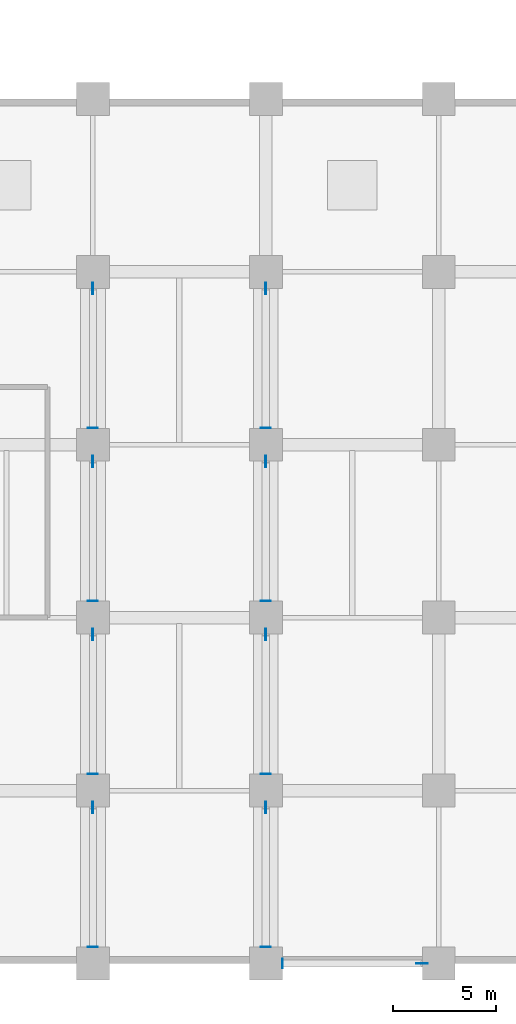
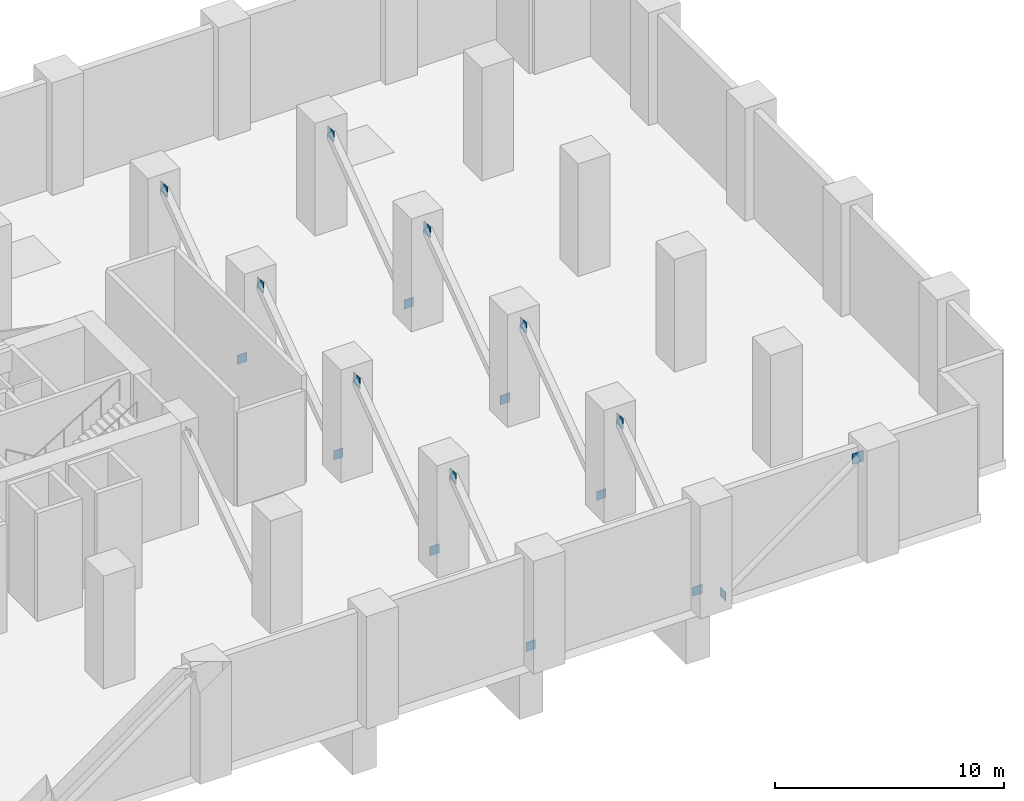
# One storey, part 10 of 20: 18 plates.
"""IFC4 building model written with IfcOpenShell, lengths in metres."""

import ifcopenshell
import ifcopenshell.guid

model = None  # the IFC model being written
_history = None  # IfcOwnerHistory: only IFC2X3 demands one
_inside = {}  # id of a spatial element -> (the spatial element, [elements in it])
_under = {}  # id of a project, library or spatial element -> (it, [spatial elements below it])
_declared = {}  # id of a project -> (the project, [libraries it declares])
_typed = {}  # id of a type object -> (the type object, [elements of that type])
_made_of = {}  # id of a material, layer set ... -> (it, [elements and type objects made of it])


def new_model(schema):
    """Start an empty IFC model of exactly this schema.

    Asked for "IFC4X3", IfcOpenShell would pick the latest addendum, in which some entities
    have other attributes; the version numbers below select the first issue.
    IFC2X3 requires an IfcOwnerHistory on every rooted entity: one is made here for all.
    """
    global model, _history
    if schema == "IFC4X3":
        model = ifcopenshell.file(schema_version=(4, 3, 0, 0))
    else:
        model = ifcopenshell.file(schema=schema)
    _inside.clear()
    _under.clear()
    _declared.clear()
    _typed.clear()
    _made_of.clear()
    _history = None
    if model.schema == "IFC2X3":
        org = make("IfcOrganization", Name="unknown")
        user = make(
            "IfcPersonAndOrganization",
            ThePerson=make("IfcPerson", FamilyName="unknown"),
            TheOrganization=org,
        )
        app = make(
            "IfcApplication",
            ApplicationDeveloper=org,
            Version="unknown",
            ApplicationFullName="unknown",
            ApplicationIdentifier="unknown",
        )
        _history = make(
            "IfcOwnerHistory",
            OwningUser=user,
            OwningApplication=app,
            ChangeAction="ADDED",
            CreationDate=0,
        )
    return model


def make(cls, **values):
    """One entity of the class cls with the attributes given. An attribute that is None is left unset."""
    return model.create_entity(
        cls, **{name: value for name, value in values.items() if value is not None}
    )


def rooted(cls, **values):
    """An entity with a GlobalId (a new one), such as an element, a storey or a relation."""
    return make(cls, GlobalId=ifcopenshell.guid.new(), OwnerHistory=_history, **values)


def si_unit(unit_type, name, prefix=None):
    """IfcSIUnit, for example si_unit("LENGTHUNIT", "METRE", prefix="MILLI")."""
    return make("IfcSIUnit", UnitType=unit_type, Prefix=prefix, Name=name)


def assignment(units):
    """IfcUnitAssignment: the units of a project."""
    return None if units is None else make("IfcUnitAssignment", Units=units)


def point(xyz):
    """IfcCartesianPoint."""
    return None if xyz is None else make("IfcCartesianPoint", Coordinates=xyz)


def direction(xyz):
    """IfcDirection."""
    return None if xyz is None else make("IfcDirection", DirectionRatios=xyz)


def frame(location, z_axis=None, x_axis=None):
    """IfcAxis2Placement3D, a coordinate frame: its origin and axes. An axis left out is left unset."""
    return make(
        "IfcAxis2Placement3D",
        Location=point(location),
        Axis=direction(z_axis),
        RefDirection=direction(x_axis),
    )


def frame_2d(location, x_axis=None):
    """IfcAxis2Placement2D, a coordinate frame in the plane: its origin and x axis."""
    return make(
        "IfcAxis2Placement2D", Location=point(location), RefDirection=direction(x_axis)
    )


def origin():
    """The frame at (0, 0, 0) with its axes left unset."""
    return frame((0.0, 0.0, 0.0))


def origin_2d():
    """The frame at (0, 0) in the plane with its x axis left unset."""
    return frame_2d((0.0, 0.0))


def place(relative_to, where):
    """IfcLocalPlacement: puts the frame where relative to a parent placement (None: the world)."""
    return make(
        "IfcLocalPlacement", PlacementRelTo=relative_to, RelativePlacement=where
    )


def context(
    kind, dimensions, precision=None, world=None, true_north=None, identifier=None
):
    """IfcGeometricRepresentationContext, for example the 3D "Model" context."""
    return make(
        "IfcGeometricRepresentationContext",
        ContextIdentifier=identifier,
        ContextType=kind,
        CoordinateSpaceDimension=dimensions,
        Precision=precision,
        WorldCoordinateSystem=world,
        TrueNorth=true_north,
    )


def subcontext(parent, identifier, kind, view, scale=None):
    """IfcGeometricRepresentationSubContext, for example "Body" below "Model"."""
    return make(
        "IfcGeometricRepresentationSubContext",
        ContextIdentifier=identifier,
        ContextType=kind,
        ParentContext=parent,
        TargetScale=scale,
        TargetView=view,
    )


def project(units=None, contexts=None):
    """IfcProject with its units and contexts."""
    return rooted(
        "IfcProject",
        Name="project",
        RepresentationContexts=contexts,
        UnitsInContext=assignment(units),
    )


def spatial(cls, under=None, at=None, **own):
    """A site, building, storey or space (cls), placed at a placement, below another one or the project."""
    s = rooted(cls, ObjectPlacement=at, **own)
    if under is not None:
        _under.setdefault(under.id(), (under, []))[1].append(s)
    return s


def profile(cls, at=None, kind="AREA", **sizes):
    """A parametric profile (cls). Its sizes go by their IFC names, for example OverallWidth=200.0."""
    return make(cls, ProfileType=kind, Position=at, **sizes)


def rectangle(**sizes):
    """IfcRectangleProfileDef."""
    return profile("IfcRectangleProfileDef", **sizes)


def extrude(swept, where, along, depth):
    """IfcExtrudedAreaSolid: the profile swept, set in the frame where, extruded along a direction by depth."""
    return make(
        "IfcExtrudedAreaSolid",
        SweptArea=swept,
        Position=where,
        ExtrudedDirection=direction(along),
        Depth=depth,
    )


def shape(context_of_items, identifier, shape_type, items):
    """IfcShapeRepresentation: the items that make up one representation, for example the "Body"."""
    return make(
        "IfcShapeRepresentation",
        ContextOfItems=context_of_items,
        RepresentationIdentifier=identifier,
        RepresentationType=shape_type,
        Items=items,
    )


def material(Name=None, Category=None):
    """IfcMaterial."""
    return make("IfcMaterial", Name=Name, Category=Category)


def layer(
    of_material, thickness, ventilated=None, Name=None, Category=None, Priority=None
):
    """IfcMaterialLayer: one layer of a wall or slab, of a material (None: an air gap)."""
    return make(
        "IfcMaterialLayer",
        Material=of_material,
        LayerThickness=thickness,
        IsVentilated=ventilated,
        Name=Name,
        Category=Category,
        Priority=Priority,
    )


def layer_set(layers, Name=None):
    """IfcMaterialLayerSet."""
    return make("IfcMaterialLayerSet", MaterialLayers=layers, LayerSetName=Name)


def made_of(thing, what):
    """Note that an element or type object is made of a material, layer set ...; save() writes the relation."""
    if what is not None:
        _made_of.setdefault(what.id(), (what, []))[1].append(thing)
    return thing


def type_object(cls, material=None, **own):
    """A type object (cls), such as IfcWallType, which elements share."""
    return made_of(rooted(cls, **own), material)


def element(
    cls,
    number,
    at=None,
    inside=None,
    cuts=None,
    type_object=None,
    material=None,
    context=None,
    identifier="Body",
    shape_type=None,
    held_by="IfcProductDefinitionShape",
    body=None,
    shapes=None,
    **own,
):
    """One element of the class cls, such as IfcWall. Its Tag is "e" and its number.

    at: its placement. inside: the storey or other place that contains it. cuts: it is an
    opening in that element (IfcRelVoidsElement). A single representation is given by context,
    identifier, shape_type and body (its items); several are given by shapes. held_by: the class
    of the entity that holds the representations. save() writes the other relations.
    """
    e = rooted(cls, Tag="e%d" % number, ObjectPlacement=at, **own)
    if body is not None:
        shapes = [shape(context, identifier, shape_type, body)]
    if shapes is not None:
        e.Representation = make(held_by, Representations=shapes)
    if inside is not None:
        _inside.setdefault(inside.id(), (inside, []))[1].append(e)
    if cuts is not None:
        rooted(
            "IfcRelVoidsElement", RelatingBuildingElement=cuts, RelatedOpeningElement=e
        )
    if type_object is not None:
        _typed.setdefault(type_object.id(), (type_object, []))[1].append(e)
    return made_of(e, material)


def aggregate(whole, parts):
    """IfcRelAggregates: a whole, such as a stair, and the parts it consists of."""
    return rooted("IfcRelAggregates", RelatingObject=whole, RelatedObjects=parts)


def save(model, path):
    """Write the relations noted so far, then the file.

    IfcRelAggregates (storeys below a building ...), IfcRelContainedInSpatialStructure (elements
    in a storey), IfcRelDefinesByType, IfcRelAssociatesMaterial and IfcRelDeclares: one each for
    every whole, place, type object, material and project.
    """
    for whole, parts in _under.values():
        aggregate(whole, parts)
    for where, things in _inside.values():
        rooted(
            "IfcRelContainedInSpatialStructure",
            RelatedElements=things,
            RelatingStructure=where,
        )
    for kind, things in _typed.values():
        rooted("IfcRelDefinesByType", RelatedObjects=things, RelatingType=kind)
    for what, things in _made_of.values():
        rooted("IfcRelAssociatesMaterial", RelatedObjects=things, RelatingMaterial=what)
    for by, libraries in _declared.values():
        rooted("IfcRelDeclares", RelatingContext=by, RelatedDefinitions=libraries)
    model.write(path)


model = new_model("IFC4")

# Units and contexts
model_context = context("Model", 3, precision=1e-05, world=origin(), true_north=direction((0.0, 1.0)))
body_context = subcontext(model_context, "Body", "Model", "MODEL_VIEW")
ifc_project = project(units=[si_unit("LENGTHUNIT", "METRE"), si_unit("AREAUNIT", "SQUARE_METRE"), si_unit("VOLUMEUNIT", "CUBIC_METRE"), si_unit("PLANEANGLEUNIT", "RADIAN"), si_unit("MASSUNIT", "GRAM", prefix="KILO")], contexts=[model_context])

# Site, building, storey
site_placement = place(None, origin())
site = spatial("IfcSite", under=ifc_project, at=site_placement, CompositionType="ELEMENT")
building_placement = place(site_placement, origin())
building = spatial("IfcBuilding", under=site, at=building_placement, Name="Koriwani Terraces Tower", CompositionType="ELEMENT")
storey_placement = place(building_placement, frame((0.0, 0.0, 26.0)))
storey = spatial("IfcBuildingStorey", under=building, at=storey_placement, Name="L05", CompositionType="ELEMENT", Elevation=26.0)

# Plates
ifc_material = material(Name="Steel ASTM A572 Grade 50", Category="steel")
ifc_layer_1 = layer(ifc_material, 0.02490234375, Name="Steel ASTM A572 Grade 50")
ifc_layer_set_1 = layer_set([ifc_layer_1], Name="Steel ASTM A572 Grade 50")
plate_type_1 = type_object("IfcPlateType", Name="STEEL_CAP_PLATE_25", PredefinedType="USERDEFINED", material=ifc_layer_set_1)
for number, where, z_axis, x_axis, name in (
    (1, (76.412353515625, 0.0, 0.033447265625), (0.0, 0.0, 1.0), (1.0, 0.0, 0.0), "Brace End Cap Plate BT-L05-BS4"),
    (2, (67.199951171875, 0.8125, 0.033447265625), (0.0, 0.0, 1.0), (0.0, 1.0, 0.0), "Brace End Cap Plate TT05-X672-0"),
    (3, (67.199951171875, 9.21240234375, 0.033447265625), (0.0, 0.0, 1.0), (0.0, 1.0, 0.0), "Brace End Cap Plate TT05-X672-84"),
    (4, (67.199951171875, 17.6123046875, 0.033447265625), (0.0, 0.0, 1.0), (0.0, 1.0, 0.0), "Brace End Cap Plate TT05-X672-168"),
    (5, (67.199951171875, 26.012451171875, 0.033447265625), (0.0, 0.0, 1.0), (0.0, 1.0, 0.0), "Brace End Cap Plate TT05-X672-252"),
    (6, (75.60009765625, 0.8125, 0.033447265625), (0.0, 0.0, 1.0), (0.0, 1.0, 0.0), "Brace End Cap Plate TT05-X756-0"),
    (7, (75.60009765625, 9.21240234375, 0.033447265625), (0.0, 0.0, 1.0), (0.0, 1.0, 0.0), "Brace End Cap Plate TT05-X756-84"),
    (8, (75.60009765625, 17.6123046875, 0.033447265625), (0.0, 0.0, 1.0), (0.0, 1.0, 0.0), "Brace End Cap Plate TT05-X756-168"),
    (9, (75.60009765625, 26.012451171875, 0.033447265625), (0.0, 0.0, 1.0), (0.0, 1.0, 0.0), "Brace End Cap Plate TT05-X756-252"),
):
    element("IfcPlate", number, at=place(storey_placement, frame(where, z_axis=z_axis, x_axis=x_axis)), inside=storey, type_object=plate_type_1, Name=name, ObjectType="FLANGE_PLATE", PredefinedType="USERDEFINED", context=body_context, shape_type="SweptSolid", body=[
        extrude(rectangle(XDim=0.02490234375, YDim=0.47998046875, at=origin_2d()), origin(), (0.0, 0.0, 1.0), 0.47998046875),
    ])
ifc_layer_2 = layer(ifc_material, 0.0400390625, Name="Steel ASTM A572 Grade 50")
ifc_layer_set_2 = layer_set([ifc_layer_2], Name="Steel ASTM A572 Grade 50")
plate_type_2 = type_object("IfcPlateType", Name="STEEL_GUSSET_PLATE_40", PredefinedType="USERDEFINED", material=ifc_layer_set_2)
for number, where, z_axis, x_axis, name in (
    (10, (83.1875, 0.0, 4.896484375), (0.0, 0.0, 1.0), (1.0, 0.0, 0.0), "Brace Node Gusset Plate BT-L05-BS4"),
    (11, (67.199951171875, 7.587646484375, 4.896484375), (0.0, 0.0, 1.0), (0.0, 1.0, 0.0), "Brace Node Gusset Plate TT05-X672-0"),
    (12, (67.199951171875, 15.987548828125, 4.896484375), (0.0, 0.0, 1.0), (0.0, 1.0, 0.0), "Brace Node Gusset Plate TT05-X672-84"),
    (13, (67.199951171875, 24.3876953125, 4.896484375), (0.0, 0.0, 1.0), (0.0, 1.0, 0.0), "Brace Node Gusset Plate TT05-X672-168"),
    (14, (67.199951171875, 32.78759765625, 4.896484375), (0.0, 0.0, 1.0), (0.0, 1.0, 0.0), "Brace Node Gusset Plate TT05-X672-252"),
    (15, (75.60009765625, 7.587646484375, 4.896484375), (0.0, 0.0, 1.0), (0.0, 1.0, 0.0), "Brace Node Gusset Plate TT05-X756-0"),
    (16, (75.60009765625, 15.987548828125, 4.896484375), (0.0, 0.0, 1.0), (0.0, 1.0, 0.0), "Brace Node Gusset Plate TT05-X756-84"),
    (17, (75.60009765625, 24.3876953125, 4.896484375), (0.0, 0.0, 1.0), (0.0, 1.0, 0.0), "Brace Node Gusset Plate TT05-X756-168"),
    (18, (75.60009765625, 32.78759765625, 4.896484375), (0.0, 0.0, 1.0), (0.0, 1.0, 0.0), "Brace Node Gusset Plate TT05-X756-252"),
):
    element("IfcPlate", number, at=place(storey_placement, frame(where, z_axis=z_axis, x_axis=x_axis)), inside=storey, type_object=plate_type_2, Name=name, ObjectType="GUSSET_PLATE", PredefinedType="USERDEFINED", context=body_context, shape_type="SweptSolid", body=[
        extrude(rectangle(XDim=0.56005859375, YDim=0.0400390625, at=origin_2d()), origin(), (0.0, 0.0, 1.0), 0.56005859375),
    ])

save(model, "model.ifc")
